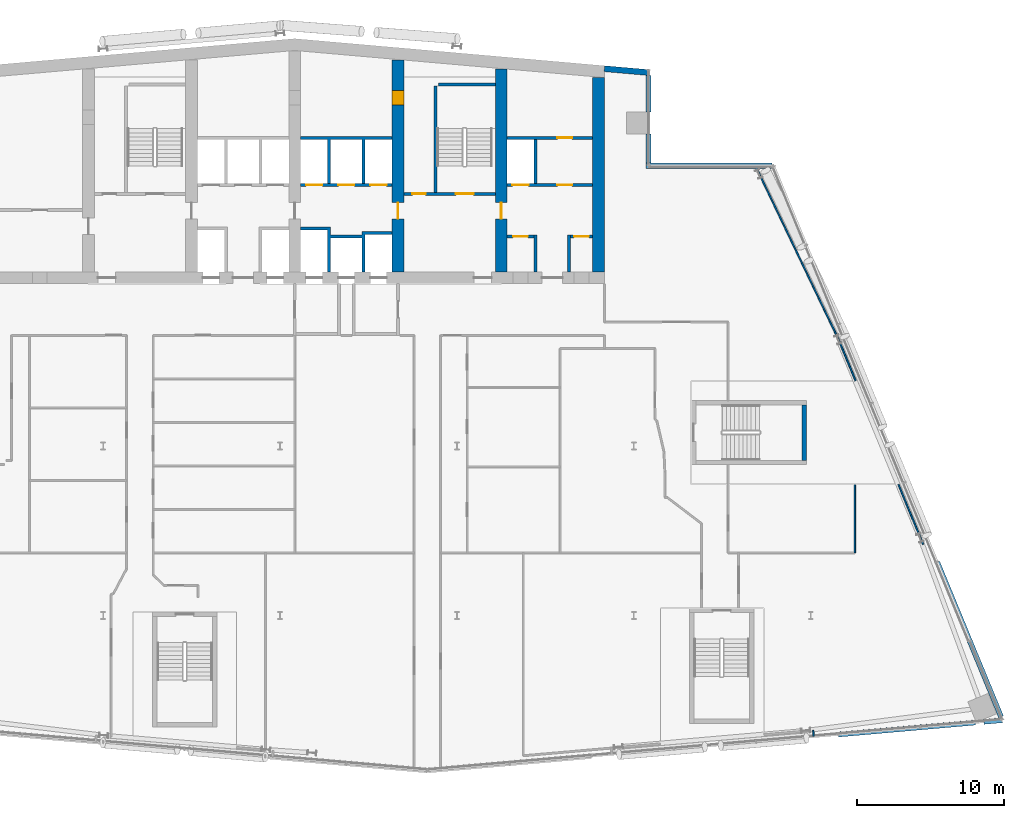
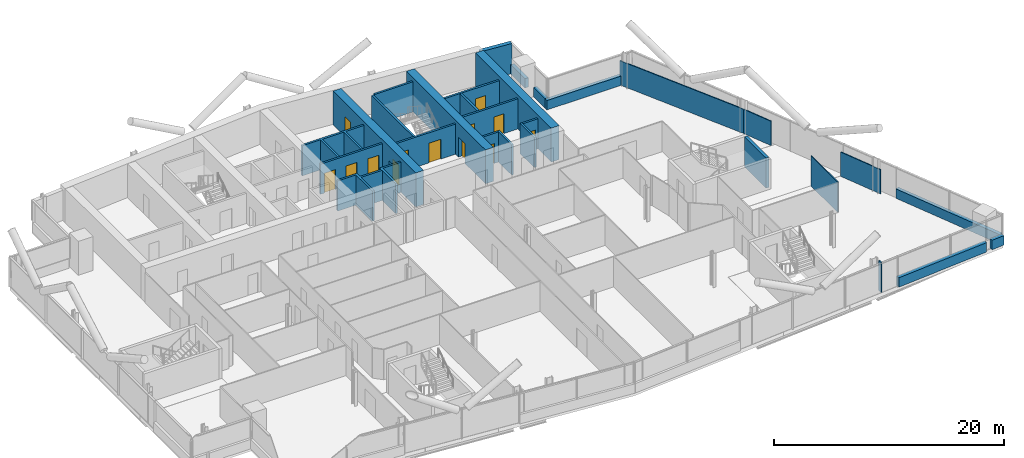
# One storey, part 18 of 26: 29 walls, 13 doors, 13 openings.
"""IFC4 building model written with IfcOpenShell, lengths in metres."""

from ifc_helpers import new_model, si_unit, direction, frame, frame_2d, origin, place, context, subcontext, project, spatial, polyline, rectangle, outline, extrude, material, layer, layer_set, type_object, element, fill, save


model = new_model("IFC4")

# Units and contexts
model_context = context("Model", 3, precision=1e-05, world=origin(), true_north=direction((0.0, 1.0)))
body_context = subcontext(model_context, "Body", "Model", "MODEL_VIEW")
ifc_project = project(units=[si_unit("LENGTHUNIT", "METRE"), si_unit("AREAUNIT", "SQUARE_METRE"), si_unit("VOLUMEUNIT", "CUBIC_METRE"), si_unit("PLANEANGLEUNIT", "RADIAN"), si_unit("MASSUNIT", "GRAM", prefix="KILO")], contexts=[model_context])

# Site, building, storey
site_placement = place(None, origin())
site = spatial("IfcSite", under=ifc_project, at=site_placement, CompositionType="ELEMENT")
building_placement = place(site_placement, origin())
building = spatial("IfcBuilding", under=site, at=building_placement, Name="Wharfspan Tower", CompositionType="ELEMENT")
storey_placement = place(building_placement, frame((0.0, 0.0, 166.300049)))
storey = spatial("IfcBuildingStorey", under=building, at=storey_placement, Name="L40", CompositionType="ELEMENT", Elevation=166.300049)

# Wall, opening, door
ifc_material_1 = material(Name="Calcium silicate masonry", Category="masonry")
ifc_layer_1 = layer(ifc_material_1, 0.199951)
ifc_layer_set_1 = layer_set([ifc_layer_1], Name="Calcium silicate masonry")
wall_type_1 = type_object("IfcWallType", Name="Core room wall 200", PredefinedType="PARTITIONING", material=ifc_layer_set_1)
wall_1_placement = place(storey_placement, frame((51.399902, 37.199951, 0.0), z_axis=(0.0, 0.0, 1.0), x_axis=(1.0, 0.0, 0.0)))
wall_1 = element("IfcWall", 1, at=wall_1_placement, inside=storey, type_object=wall_type_1, Name="sw:L40:FR6.1", PredefinedType="PARTITIONING", context=body_context, shape_type="SweptSolid", body=[
    extrude(rectangle(XDim=1.833496, YDim=0.199951, at=frame_2d((0.916748, 0.0))), origin(), (0.0, 0.0, 1.0), 3.199951),
])
opening_1_placement = place(wall_1_placement, frame((0.416748, 0.0, 0.0)))
opening_1 = element("IfcOpeningElement", 2, at=opening_1_placement, cuts=wall_1, Name="Opening CD40.6H1", PredefinedType="OPENING", context=body_context, shape_type="SweptSolid", body=[
    extrude(rectangle(XDim=1.0, YDim=2.100098, at=frame_2d((0.5, 1.050049))), frame((0.0, 0.109863, 0.0), z_axis=(0.0, -1.0, 0.0), x_axis=(1.0, 0.0, 0.0)), (0.0, 0.0, 1.0), 0.219971),
])
ifc_material_2 = material(Name="Steel door leaf", Category="steel")
door_type_1 = type_object("IfcDoorType", Name="Core room door 1000x2100", OperationType="SINGLE_SWING_LEFT", PredefinedType="DOOR", material=ifc_material_2)
door_1_placement = place(opening_1_placement, origin())
door_1 = element("IfcDoor", 3, at=door_1_placement, inside=storey, type_object=door_type_1, Name="d:L40:6:fh6.1", OperationType="SINGLE_SWING_RIGHT", OverallHeight=2.100098, OverallWidth=1.0, PredefinedType="DOOR", context=body_context, shape_type="SweptSolid", body=[
    extrude(rectangle(XDim=1.0, YDim=2.100098, at=frame_2d((0.5, 1.050049))), frame((0.0, 0.024902, 0.0), z_axis=(0.0, -1.0, 0.0), x_axis=(1.0, 0.0, 0.0)), (0.0, 0.0, 1.0), 0.050049),
])
fill(opening_1, door_1)

wall_2_placement = place(storey_placement, frame((55.699951, 37.199951, 0.0), z_axis=(0.0, 0.0, 1.0), x_axis=(1.0, 0.0, 0.0)))
wall_2 = element("IfcWall", 4, at=wall_2_placement, inside=storey, type_object=wall_type_1, Name="sw:L40:FR6.3", PredefinedType="PARTITIONING", context=body_context, shape_type="SweptSolid", body=[
    extrude(rectangle(XDim=1.5, YDim=0.199951, at=frame_2d((0.75, 0.0))), origin(), (0.0, 0.0, 1.0), 3.199951),
])
opening_2_placement = place(wall_2_placement, frame((0.25, 0.0, 0.0)))
opening_2 = element("IfcOpeningElement", 5, at=opening_2_placement, cuts=wall_2, Name="Opening CD40.6H3", PredefinedType="OPENING", context=body_context, shape_type="SweptSolid", body=[
    extrude(rectangle(XDim=1.0, YDim=2.100098, at=frame_2d((0.5, 1.050049))), frame((0.0, 0.109863, 0.0), z_axis=(0.0, -1.0, 0.0), x_axis=(1.0, 0.0, 0.0)), (0.0, 0.0, 1.0), 0.219971),
])
door_2_placement = place(opening_2_placement, origin())
door_2 = element("IfcDoor", 6, at=door_2_placement, inside=storey, type_object=door_type_1, Name="d:L40:6:fh6.3", OperationType="SINGLE_SWING_RIGHT", OverallHeight=2.100098, OverallWidth=1.0, PredefinedType="DOOR", context=body_context, shape_type="SweptSolid", body=[
    extrude(rectangle(XDim=1.0, YDim=2.100098, at=frame_2d((0.5, 1.050049))), frame((0.0, 0.024902, 0.0), z_axis=(0.0, -1.0, 0.0), x_axis=(1.0, 0.0, 0.0)), (0.0, 0.0, 1.0), 0.050049),
])
fill(opening_2, door_2)

# Wall, openings, doors
ifc_material_3 = material(Name="Concrete C60/75", Category="concrete")
ifc_layer_2 = layer(ifc_material_3, 0.800049)
ifc_layer_set_2 = layer_set([ifc_layer_2], Name="Concrete C60/75")
wall_type_2 = type_object("IfcWallType", Name="Core wall 800 C60/75", PredefinedType="SHEAR", material=ifc_layer_set_2)
wall_3_placement = place(storey_placement, frame((44.0, 34.800049, 0.0), z_axis=(0.0, 0.0, 1.0), x_axis=(0.0, 1.0, 0.0)))
wall_3 = element("IfcWall", 7, at=wall_3_placement, inside=storey, type_object=wall_type_2, Name="Core cross wall X5 L40", PredefinedType="SHEAR", context=body_context, shape_type="SweptSolid", body=[
    extrude(rectangle(XDim=14.374023, YDim=0.800049, at=frame_2d((7.187012, 0.0))), origin(), (0.0, 0.0, 1.0), 3.599854),
])
opening_3_placement = place(wall_3_placement, frame((11.312012, 0.0, 0.0)))
opening_3 = element("IfcOpeningElement", 8, at=opening_3_placement, cuts=wall_3, Name="Opening CD40.4X", PredefinedType="OPENING", context=body_context, shape_type="SweptSolid", body=[
    extrude(rectangle(XDim=1.0, YDim=2.100098, at=frame_2d((0.5, 1.050049))), frame((0.0, 0.409912, 0.0), z_axis=(0.0, -1.0, 0.0), x_axis=(1.0, 0.0, 0.0)), (0.0, 0.0, 1.0), 0.820068),
])
opening_4_placement = place(wall_3_placement, frame((3.600098, 0.0, 0.0)))
opening_4 = element("IfcOpeningElement", 9, at=opening_4_placement, cuts=wall_3, Name="Opening CC40.5", PredefinedType="OPENING", context=body_context, shape_type="SweptSolid", body=[
    extrude(rectangle(XDim=1.100098, YDim=2.100098, at=frame_2d((0.550049, 1.050049))), frame((0.0, 0.409912, 0.0), z_axis=(0.0, -1.0, 0.0), x_axis=(1.0, 0.0, 0.0)), (0.0, 0.0, 1.0), 0.820068),
])
door_type_2 = type_object("IfcDoorType", Name="Core corridor door 1100x2100", OperationType="SINGLE_SWING_LEFT", PredefinedType="DOOR", material=ifc_material_2)
door_3_placement = place(opening_4_placement, origin())
door_3 = element("IfcDoor", 10, at=door_3_placement, inside=storey, type_object=door_type_2, Name="xd:L40:5", OperationType="SINGLE_SWING_LEFT", OverallHeight=2.100098, OverallWidth=1.100098, PredefinedType="DOOR", context=body_context, shape_type="SweptSolid", body=[
    extrude(rectangle(XDim=1.100098, YDim=2.100098, at=frame_2d((0.550049, 1.050049))), frame((0.0, 0.024902, 0.0), z_axis=(0.0, -1.0, 0.0), x_axis=(1.0, 0.0, 0.0)), (0.0, 0.0, 1.0), 0.050049),
])
fill(opening_4, door_3)
door_4_placement = place(opening_3_placement, origin())
door_4 = element("IfcDoor", 11, at=door_4_placement, inside=storey, type_object=door_type_1, Name="d:L40:4:sx", OperationType="SINGLE_SWING_LEFT", OverallHeight=2.100098, OverallWidth=1.0, PredefinedType="DOOR", context=body_context, shape_type="SweptSolid", body=[
    extrude(rectangle(XDim=1.0, YDim=2.100098, at=frame_2d((0.5, 1.050049))), frame((0.0, 0.399902, 0.0), z_axis=(0.0, -1.0, 0.0), x_axis=(1.0, 0.0, 0.0)), (0.0, 0.0, 1.0), 0.799561),
])
fill(opening_3, door_4)

# Wall, opening, door
wall_4_placement = place(storey_placement, frame((51.0, 34.800049, 0.0), z_axis=(0.0, 0.0, 1.0), x_axis=(0.0, 1.0, 0.0)))
wall_4 = element("IfcWall", 12, at=wall_4_placement, inside=storey, type_object=wall_type_2, Name="Core cross wall X6 L40", PredefinedType="SHEAR", context=body_context, shape_type="SweptSolid", body=[
    extrude(rectangle(XDim=13.761719, YDim=0.800049, at=frame_2d((6.880859, 0.0))), origin(), (0.0, 0.0, 1.0), 3.599854),
])
opening_5_placement = place(wall_4_placement, frame((3.600098, 0.0, 0.0)))
opening_5 = element("IfcOpeningElement", 13, at=opening_5_placement, cuts=wall_4, Name="Opening CC40.6", PredefinedType="OPENING", context=body_context, shape_type="SweptSolid", body=[
    extrude(rectangle(XDim=1.100098, YDim=2.100098, at=frame_2d((0.550049, 1.050049))), frame((0.0, 0.409912, 0.0), z_axis=(0.0, -1.0, 0.0), x_axis=(1.0, 0.0, 0.0)), (0.0, 0.0, 1.0), 0.820068),
])
door_5_placement = place(opening_5_placement, origin())
door_5 = element("IfcDoor", 14, at=door_5_placement, inside=storey, type_object=door_type_2, Name="xd:L40:6", OperationType="SINGLE_SWING_RIGHT", OverallHeight=2.100098, OverallWidth=1.100098, PredefinedType="DOOR", context=body_context, shape_type="SweptSolid", body=[
    extrude(rectangle(XDim=1.100098, YDim=2.100098, at=frame_2d((0.550049, 1.050049))), frame((0.0, 0.024902, 0.0), z_axis=(0.0, -1.0, 0.0), x_axis=(1.0, 0.0, 0.0)), (0.0, 0.0, 1.0), 0.050049),
])
fill(opening_5, door_5)

# Wall
wall_5_placement = place(storey_placement, frame((57.600098, 34.800049, 0.0), z_axis=(0.0, 0.0, 1.0), x_axis=(0.0, 1.0, 0.0)))
element("IfcWall", 15, at=wall_5_placement, inside=storey, type_object=wall_type_2, Name="Core cross wall EW1 L40", PredefinedType="SHEAR", context=body_context, shape_type="SweptSolid", body=[
    extrude(rectangle(XDim=13.184326, YDim=0.800049, at=frame_2d((6.592285, 0.0))), origin(), (0.0, 0.0, 1.0), 3.599854),
])

# Wall, openings, doors
ifc_material_4 = material(Name="Concrete C30/37", Category="concrete")
ifc_layer_3 = layer(ifc_material_4, 0.199951)
ifc_layer_set_3 = layer_set([ifc_layer_3], Name="Concrete C30/37")
wall_type_3 = type_object("IfcWallType", Name="Lift shaft wall 200", PredefinedType="PARTITIONING", material=ifc_layer_set_3)
wall_6_placement = place(storey_placement, frame((37.399902, 40.699951, 0.0), z_axis=(0.0, 0.0, 1.0), x_axis=(1.0, 0.0, 0.0)))
wall_6 = element("IfcWall", 16, at=wall_6_placement, inside=storey, type_object=wall_type_3, Name="sw:L40:RF4", PredefinedType="PARTITIONING", context=body_context, shape_type="SweptSolid", body=[
    extrude(rectangle(XDim=6.200195, YDim=0.199951, at=frame_2d((3.100098, 0.0))), origin(), (0.0, 0.0, 1.0), 3.199951),
])
opening_6_placement = place(wall_6_placement, frame((0.366699, 0.0, 0.0)))
opening_6 = element("IfcOpeningElement", 17, at=opening_6_placement, cuts=wall_6, Name="Opening LD.LB4.L40", PredefinedType="OPENING", context=body_context, shape_type="SweptSolid", body=[
    extrude(rectangle(XDim=1.100098, YDim=2.100098, at=frame_2d((0.550049, 1.050049))), frame((0.0, 0.109863, 0.0), z_axis=(0.0, -1.0, 0.0), x_axis=(1.0, 0.0, 0.0)), (0.0, 0.0, 1.0), 0.219971),
])
opening_7_placement = place(wall_6_placement, frame((2.550049, 0.0, 0.0)))
opening_7 = element("IfcOpeningElement", 18, at=opening_7_placement, cuts=wall_6, Name="Opening LD.LB5.L40", PredefinedType="OPENING", context=body_context, shape_type="SweptSolid", body=[
    extrude(rectangle(XDim=1.100098, YDim=2.100098, at=frame_2d((0.550049, 1.050049))), frame((0.0, 0.109863, 0.0), z_axis=(0.0, -1.0, 0.0), x_axis=(1.0, 0.0, 0.0)), (0.0, 0.0, 1.0), 0.219971),
])
opening_8_placement = place(wall_6_placement, frame((4.733398, 0.0, 0.0)))
opening_8 = element("IfcOpeningElement", 19, at=opening_8_placement, cuts=wall_6, Name="Opening LD.LB6.L40", PredefinedType="OPENING", context=body_context, shape_type="SweptSolid", body=[
    extrude(rectangle(XDim=1.100098, YDim=2.100098, at=frame_2d((0.550049, 1.050049))), frame((0.0, 0.109863, 0.0), z_axis=(0.0, -1.0, 0.0), x_axis=(1.0, 0.0, 0.0)), (0.0, 0.0, 1.0), 0.219971),
])
ifc_material_5 = material(Name="Stainless steel", Category="steel")
door_type_3 = type_object("IfcDoorType", Name="Lift landing door 1100x2100", OperationType="DOUBLE_DOOR_SLIDING", PredefinedType="DOOR", material=ifc_material_5)
door_6_placement = place(opening_6_placement, origin())
door_6 = element("IfcDoor", 20, at=door_6_placement, inside=storey, type_object=door_type_3, Name="Landing door LB4 L40", OperationType="DOUBLE_DOOR_SLIDING", OverallHeight=2.100098, OverallWidth=1.100098, PredefinedType="DOOR", context=body_context, shape_type="SweptSolid", body=[
    extrude(rectangle(XDim=1.100098, YDim=2.100098, at=frame_2d((0.550049, 1.050049))), frame((0.0, 0.024902, 0.0), z_axis=(0.0, -1.0, 0.0), x_axis=(1.0, 0.0, 0.0)), (0.0, 0.0, 1.0), 0.050049),
])
fill(opening_6, door_6)
door_7_placement = place(opening_7_placement, origin())
door_7 = element("IfcDoor", 21, at=door_7_placement, inside=storey, type_object=door_type_3, Name="Landing door LB5 L40", OperationType="DOUBLE_DOOR_SLIDING", OverallHeight=2.100098, OverallWidth=1.100098, PredefinedType="DOOR", context=body_context, shape_type="SweptSolid", body=[
    extrude(rectangle(XDim=1.100098, YDim=2.100098, at=frame_2d((0.550049, 1.050049))), frame((0.0, 0.024902, 0.0), z_axis=(0.0, -1.0, 0.0), x_axis=(1.0, 0.0, 0.0)), (0.0, 0.0, 1.0), 0.050049),
])
fill(opening_7, door_7)
door_8_placement = place(opening_8_placement, origin())
door_8 = element("IfcDoor", 22, at=door_8_placement, inside=storey, type_object=door_type_3, Name="Landing door LB6 L40", OperationType="DOUBLE_DOOR_SLIDING", OverallHeight=2.100098, OverallWidth=1.100098, PredefinedType="DOOR", context=body_context, shape_type="SweptSolid", body=[
    extrude(rectangle(XDim=1.100098, YDim=2.100098, at=frame_2d((0.550049, 1.050049))), frame((0.0, 0.024902, 0.0), z_axis=(0.0, -1.0, 0.0), x_axis=(1.0, 0.0, 0.0)), (0.0, 0.0, 1.0), 0.050049),
])
fill(opening_8, door_8)

# Walls
wall_7_placement = place(storey_placement, frame((0.0, 0.0, -0.000244)))
element("IfcWall", 23, at=wall_7_placement, inside=storey, type_object=wall_type_3, Name="sw:L40:FM4.0", PredefinedType="PARTITIONING", context=body_context, shape_type="SweptSolid", body=[
    extrude(outline(polyline([(41.56665, 37.100098), (39.43335, 37.100098), (39.43335, 34.800049), (39.233398, 34.800049), (39.233398, 37.649902), (37.399902, 37.649902), (37.399902, 37.850098), (39.233398, 37.850098), (39.43335, 37.850098), (39.43335, 37.300049), (41.56665, 37.300049), (41.56665, 37.550049), (41.766602, 37.550049), (43.600098, 37.550049), (43.600098, 37.350098), (41.766602, 37.350098), (41.766602, 34.800049), (41.56665, 34.800049), (41.56665, 37.100098)])), origin(), (0.0, 0.0, 1.0), 3.200195),
])
wall_8_placement = place(storey_placement, frame((0.0, 0.0, -0.000244)))
element("IfcWall", 24, at=wall_8_placement, inside=storey, type_object=wall_type_3, Name="sw:L40:RM4.0", PredefinedType="PARTITIONING", context=body_context, shape_type="SweptSolid", body=[
    extrude(outline(polyline([(39.43335, 40.800049), (39.233398, 40.800049), (39.233398, 43.800049), (37.399902, 43.800049), (37.399902, 44.0), (43.600098, 44.0), (43.600098, 43.800049), (41.766602, 43.800049), (41.766602, 40.800049), (41.56665, 40.800049), (41.56665, 43.800049), (39.43335, 43.800049), (39.43335, 40.800049)])), origin(), (0.0, 0.0, 1.0), 3.200195),
])

# Wall, openings, doors
wall_9_placement = place(storey_placement, frame((51.399902, 40.699951, 0.0), z_axis=(0.0, 0.0, 1.0), x_axis=(1.0, 0.0, 0.0)))
wall_9 = element("IfcWall", 25, at=wall_9_placement, inside=storey, type_object=wall_type_3, Name="sw:L40:RF6", PredefinedType="PARTITIONING", context=body_context, shape_type="SweptSolid", body=[
    extrude(rectangle(XDim=5.800049, YDim=0.199951, at=frame_2d((2.899902, 0.0))), origin(), (0.0, 0.0, 1.0), 3.199951),
])
opening_9_placement = place(wall_9_placement, frame((0.366699, 0.0, 0.0)))
opening_9 = element("IfcOpeningElement", 26, at=opening_9_placement, cuts=wall_9, Name="Opening LD.LB8.L40", PredefinedType="OPENING", context=body_context, shape_type="SweptSolid", body=[
    extrude(rectangle(XDim=1.100098, YDim=2.100098, at=frame_2d((0.550049, 1.050049))), frame((0.0, 0.109863, 0.0), z_axis=(0.0, -1.0, 0.0), x_axis=(1.0, 0.0, 0.0)), (0.0, 0.0, 1.0), 0.219971),
])
opening_10_placement = place(wall_9_placement, frame((3.416748, 0.0, 0.0)))
opening_10 = element("IfcOpeningElement", 27, at=opening_10_placement, cuts=wall_9, Name="Opening CD40.6R2", PredefinedType="OPENING", context=body_context, shape_type="SweptSolid", body=[
    extrude(rectangle(XDim=1.0, YDim=2.100098, at=frame_2d((0.5, 1.050049))), frame((0.0, 0.109863, 0.0), z_axis=(0.0, -1.0, 0.0), x_axis=(1.0, 0.0, 0.0)), (0.0, 0.0, 1.0), 0.219971),
])
door_9_placement = place(opening_10_placement, origin())
door_9 = element("IfcDoor", 28, at=door_9_placement, inside=storey, type_object=door_type_1, Name="d:L40:6:rd6.2", OperationType="SINGLE_SWING_RIGHT", OverallHeight=2.100098, OverallWidth=1.0, PredefinedType="DOOR", context=body_context, shape_type="SweptSolid", body=[
    extrude(rectangle(XDim=1.0, YDim=2.100098, at=frame_2d((0.5, 1.050049))), frame((0.0, 0.024902, 0.0), z_axis=(0.0, -1.0, 0.0), x_axis=(1.0, 0.0, 0.0)), (0.0, 0.0, 1.0), 0.050049),
])
fill(opening_10, door_9)
door_10_placement = place(opening_9_placement, origin())
door_10 = element("IfcDoor", 29, at=door_10_placement, inside=storey, type_object=door_type_3, Name="Landing door LB8 L40", OperationType="DOUBLE_DOOR_SLIDING", OverallHeight=2.100098, OverallWidth=1.100098, PredefinedType="DOOR", context=body_context, shape_type="SweptSolid", body=[
    extrude(rectangle(XDim=1.100098, YDim=2.100098, at=frame_2d((0.550049, 1.050049))), frame((0.0, 0.024902, 0.0), z_axis=(0.0, -1.0, 0.0), x_axis=(1.0, 0.0, 0.0)), (0.0, 0.0, 1.0), 0.050049),
])
fill(opening_9, door_10)

# Wall, opening, door
wall_10_placement = place(storey_placement, frame((51.399902, 43.899902, 0.0), z_axis=(0.0, 0.0, 1.0), x_axis=(1.0, 0.0, 0.0)))
wall_10 = element("IfcWall", 30, at=wall_10_placement, inside=storey, type_object=wall_type_3, Name="sw:L40:RR6", PredefinedType="PARTITIONING", context=body_context, shape_type="SweptSolid", body=[
    extrude(rectangle(XDim=5.800049, YDim=0.199951, at=frame_2d((2.899902, 0.0))), origin(), (0.0, 0.0, 1.0), 3.199951),
])
opening_11_placement = place(wall_10_placement, frame((3.416748, 0.0, 0.0)))
opening_11 = element("IfcOpeningElement", 31, at=opening_11_placement, cuts=wall_10, Name="Opening CD40.6S2", PredefinedType="OPENING", context=body_context, shape_type="SweptSolid", body=[
    extrude(rectangle(XDim=1.0, YDim=2.100098, at=frame_2d((0.5, 1.050049))), frame((0.0, 0.109863, 0.0), z_axis=(0.0, -1.0, 0.0), x_axis=(1.0, 0.0, 0.0)), (0.0, 0.0, 1.0), 0.219971),
])
door_11_placement = place(opening_11_placement, origin())
door_11 = element("IfcDoor", 32, at=door_11_placement, inside=storey, type_object=door_type_1, Name="d:L40:6:rs6.2", OperationType="SINGLE_SWING_LEFT", OverallHeight=2.100098, OverallWidth=1.0, PredefinedType="DOOR", context=body_context, shape_type="SweptSolid", body=[
    extrude(rectangle(XDim=1.0, YDim=2.100098, at=frame_2d((0.5, 1.050049))), frame((0.0, 0.024902, 0.0), z_axis=(0.0, -1.0, 0.0), x_axis=(1.0, 0.0, 0.0)), (0.0, 0.0, 1.0), 0.050049),
])
fill(opening_11, door_11)

# Walls
wall_11_placement = place(storey_placement, frame((0.0, 0.0, -0.000244)))
element("IfcWall", 33, at=wall_11_placement, inside=storey, type_object=wall_type_3, Name="sw:L40:FM6.0", PredefinedType="PARTITIONING", context=body_context, shape_type="SweptSolid", body=[
    extrude(outline(polyline([(53.233398, 34.800049), (53.233398, 37.300049), (53.43335, 37.300049), (53.43335, 34.800049), (53.233398, 34.800049)])), origin(), (0.0, 0.0, 1.0), 3.200195),
])
wall_12_placement = place(storey_placement, frame((0.0, 0.0, -0.000244)))
element("IfcWall", 34, at=wall_12_placement, inside=storey, type_object=wall_type_3, Name="sw:L40:FM6.1", PredefinedType="PARTITIONING", context=body_context, shape_type="SweptSolid", body=[
    extrude(outline(polyline([(55.5, 34.800049), (55.5, 37.300049), (55.699951, 37.300049), (55.699951, 34.800049), (55.5, 34.800049)])), origin(), (0.0, 0.0, 1.0), 3.200195),
])
wall_13_placement = place(storey_placement, frame((0.0, 0.0, -0.000244)))
element("IfcWall", 35, at=wall_13_placement, inside=storey, type_object=wall_type_3, Name="sw:L40:RM6.0", PredefinedType="PARTITIONING", context=body_context, shape_type="SweptSolid", body=[
    extrude(outline(polyline([(53.43335, 40.800049), (53.43335, 43.800049), (53.233398, 43.800049), (53.233398, 40.800049), (53.43335, 40.800049)])), origin(), (0.0, 0.0, 1.0), 3.200195),
])
ifc_material_6 = material(Name="Gypsum board on steel studs", Category="steel")
ifc_layer_4 = layer(ifc_material_6, 0.100098)
ifc_layer_set_4 = layer_set([ifc_layer_4], Name="Gypsum board on steel studs")
wall_type_4 = type_object("IfcWallType", Name="Partition 100", PredefinedType="PARTITIONING", material=ifc_layer_set_4)
wall_14_placement = place(storey_placement, frame((72.198242, 3.300049, 0.0), z_axis=(0.0, 0.0, 1.0), x_axis=(-0.083759, 0.996486, 0.0)))
element("IfcWall", 36, at=wall_14_placement, inside=storey, type_object=wall_type_4, Name="Partition L40.w062", PredefinedType="PARTITIONING", context=body_context, shape_type="SweptSolid", body=[
    extrude(rectangle(XDim=0.396484, YDim=0.100098, at=frame_2d((0.198242, 0.0))), origin(), (0.0, 0.0, 1.0), 3.199951),
])
wall_15_placement = place(storey_placement, frame((73.88501, 30.22998, 0.0), z_axis=(0.0, 0.0, 1.0), x_axis=(-0.432129, 0.901808, 0.0)))
element("IfcWall", 37, at=wall_15_placement, inside=storey, type_object=wall_type_4, Name="Partition L40.w063", PredefinedType="PARTITIONING", context=body_context, shape_type="SweptSolid", body=[
    extrude(rectangle(XDim=13.029297, YDim=0.100098, at=frame_2d((6.514648, 0.0))), origin(), (0.0, 0.0, 1.0), 2.579834),
])
wall_16_placement = place(storey_placement, frame((75.0, 15.745117, 0.0), z_axis=(0.0, 0.0, 1.0), x_axis=(0.0, 1.0, 0.0)))
element("IfcWall", 38, at=wall_16_placement, inside=storey, type_object=wall_type_4, Name="Partition L40.w064", PredefinedType="PARTITIONING", context=body_context, shape_type="SweptSolid", body=[
    extrude(rectangle(XDim=4.634766, YDim=0.100098, at=frame_2d((2.317383, 0.0))), origin(), (0.0, 0.0, 1.0), 3.199951),
])
wall_17_placement = place(storey_placement, frame((75.046631, 27.419922, 0.0), z_axis=(0.0, 0.0, 1.0), x_axis=(-0.382024, 0.924148, 0.0)))
element("IfcWall", 39, at=wall_17_placement, inside=storey, type_object=wall_type_4, Name="Partition L40.w065", PredefinedType="PARTITIONING", context=body_context, shape_type="SweptSolid", body=[
    extrude(rectangle(XDim=3.040771, YDim=0.100098, at=frame_2d((1.520508, 0.0))), origin(), (0.0, 0.0, 1.0), 2.579834),
])
wall_18_placement = place(storey_placement, frame((79.629883, 16.310059, 0.0), z_axis=(0.0, 0.0, 1.0), x_axis=(-0.380933, 0.9246, 0.0)))
element("IfcWall", 40, at=wall_18_placement, inside=storey, type_object=wall_type_4, Name="Partition L40.w066", PredefinedType="PARTITIONING", context=body_context, shape_type="SweptSolid", body=[
    extrude(rectangle(XDim=4.401611, YDim=0.100098, at=frame_2d((2.200684, 0.0))), origin(), (0.0, 0.0, 1.0), 2.579834),
])
ifc_material_7 = material(Name="Concrete C40/50", Category="concrete")
ifc_layer_5 = layer(ifc_material_7, 0.350098)
ifc_layer_set_5 = layer_set([ifc_layer_5], Name="Concrete C40/50")
wall_type_5 = type_object("IfcWallType", Name="SPANDREL EXPOSED CONCRETE 350", PredefinedType="SOLIDWALL", material=ifc_layer_set_5)
wall_19_placement = place(storey_placement, frame((73.887451, 3.422852, 0.0), z_axis=(0.0, 0.0, 1.0), x_axis=(0.996197, 0.087145, 0.0)))
element("IfcWall", 41, at=wall_19_placement, inside=storey, type_object=wall_type_5, Name="Spandrel upstand L40 S2 2", PredefinedType="SOLIDWALL", context=body_context, shape_type="SweptSolid", body=[
    extrude(rectangle(XDim=9.323486, YDim=0.350098, at=frame_2d((4.661621, 0.0))), origin(), (0.0, 0.0, 1.0), 1.0),
])
wall_20_placement = place(storey_placement, frame((83.744629, 4.285156, 0.0), z_axis=(0.0, 0.0, 1.0), x_axis=(0.996198, 0.087148, 0.0)))
element("IfcWall", 42, at=wall_20_placement, inside=storey, type_object=wall_type_5, Name="Spandrel upstand L40 S2 3", PredefinedType="SOLIDWALL", context=body_context, shape_type="SweptSolid", body=[
    extrude(rectangle(XDim=1.260742, YDim=0.350098, at=frame_2d((0.630371, 0.0))), origin(), (0.0, 0.0, 1.0), 1.0),
])
wall_21_placement = place(storey_placement, frame((84.91626, 4.615967, 0.0), z_axis=(0.0, 0.0, 1.0), x_axis=(-0.381598, 0.924328, 0.0)))
element("IfcWall", 43, at=wall_21_placement, inside=storey, type_object=wall_type_5, Name="Spandrel upstand L40 E", PredefinedType="SOLIDWALL", context=body_context, shape_type="SweptSolid", body=[
    extrude(rectangle(XDim=11.360596, YDim=0.350098, at=frame_2d((5.680176, 0.0))), origin(), (0.0, 0.0, 1.0), 1.0),
])
wall_22_placement = place(storey_placement, frame((69.366211, 42.004883, 0.0), z_axis=(0.0, 0.0, 1.0), x_axis=(-1.0, 0.0, 0.0)))
element("IfcWall", 44, at=wall_22_placement, inside=storey, type_object=wall_type_5, Name="Spandrel upstand L40 NRE-H", PredefinedType="SOLIDWALL", context=body_context, shape_type="SweptSolid", body=[
    extrude(rectangle(XDim=8.536133, YDim=0.350098, at=frame_2d((4.268066, 0.0))), origin(), (0.0, 0.0, 1.0), 1.0),
])
wall_23_placement = place(storey_placement, frame((61.004883, 42.179932, 0.0), z_axis=(0.0, 0.0, 1.0), x_axis=(0.0, 1.0, 0.0)))
element("IfcWall", 45, at=wall_23_placement, inside=storey, type_object=wall_type_5, Name="Spandrel upstand L40 NRE-V", PredefinedType="SOLIDWALL", context=body_context, shape_type="SweptSolid", body=[
    extrude(rectangle(XDim=1.969971, YDim=0.350098, at=frame_2d((0.984863, 0.0))), origin(), (0.0, 0.0, 1.0), 1.0),
])
wall_24_placement = place(storey_placement, frame((61.004883, 45.649902, 0.0), z_axis=(0.0, 0.0, 1.0), x_axis=(0.0, 1.0, 0.0)))
element("IfcWall", 46, at=wall_24_placement, inside=storey, type_object=wall_type_5, Name="Spandrel upstand L40 NRE-V 2", PredefinedType="SOLIDWALL", context=body_context, shape_type="SweptSolid", body=[
    extrude(rectangle(XDim=2.476562, YDim=0.350098, at=frame_2d((1.238281, 0.0))), origin(), (0.0, 0.0, 1.0), 1.0),
])
ifc_layer_6 = layer(ifc_material_7, 0.300049)
ifc_layer_set_6 = layer_set([ifc_layer_6], Name="Concrete C40/50")
wall_type_6 = type_object("IfcWallType", Name="Stair core wall 300", PredefinedType="SHEAR", material=ifc_layer_set_6)
wall_25_placement = place(storey_placement, frame((71.554688, 22.024902, 0.0), z_axis=(0.0, 0.0, 1.0), x_axis=(0.0, 1.0, 0.0)))
element("IfcWall", 47, at=wall_25_placement, inside=storey, type_object=wall_type_6, Name="ST6 stair enclosure wall L40", PredefinedType="SHEAR", context=body_context, shape_type="SweptSolid", body=[
    extrude(rectangle(XDim=3.75, YDim=0.300049, at=frame_2d((1.875, 0.0))), origin(), (0.0, 0.0, 1.0), 3.199951),
])

# Wall, openings, doors
ifc_layer_7 = layer(ifc_material_7, 0.199951)
ifc_layer_set_7 = layer_set([ifc_layer_7], Name="Concrete C40/50")
wall_type_7 = type_object("IfcWallType", Name="Stair shaft wall 200", PredefinedType="SHEAR", material=ifc_layer_set_7)
wall_26_placement = place(storey_placement, frame((44.399902, 40.100098, 0.0), z_axis=(0.0, 0.0, 1.0), x_axis=(1.0, 0.0, 0.0)))
wall_26 = element("IfcWall", 48, at=wall_26_placement, inside=storey, type_object=wall_type_7, Name="ST2 stair enclosure wall L40", PredefinedType="SHEAR", context=body_context, shape_type="SweptSolid", body=[
    extrude(rectangle(XDim=6.200195, YDim=0.199951, at=frame_2d((3.100098, 0.0))), origin(), (0.0, 0.0, 1.0), 3.199951),
])
opening_12_placement = place(wall_26_placement, frame((3.524902, 0.0, 0.0)))
opening_12 = element("IfcOpeningElement", 49, at=opening_12_placement, cuts=wall_26, Name="Opening SD5.L40", PredefinedType="OPENING", context=body_context, shape_type="SweptSolid", body=[
    extrude(rectangle(XDim=1.199951, YDim=2.100098, at=frame_2d((0.600098, 1.050049))), frame((0.0, 0.109863, 0.0), z_axis=(0.0, -1.0, 0.0), x_axis=(1.0, 0.0, 0.0)), (0.0, 0.0, 1.0), 0.219971),
])
opening_13_placement = place(wall_26_placement, frame((0.574951, 0.0, 0.0)))
opening_13 = element("IfcOpeningElement", 50, at=opening_13_placement, cuts=wall_26, Name="Opening CD40.5R", PredefinedType="OPENING", context=body_context, shape_type="SweptSolid", body=[
    extrude(rectangle(XDim=0.899902, YDim=2.100098, at=frame_2d((0.449951, 1.050049))), frame((0.0, 0.109863, 0.0), z_axis=(0.0, -1.0, 0.0), x_axis=(1.0, 0.0, 0.0)), (0.0, 0.0, 1.0), 0.219971),
])
door_12_placement = place(opening_13_placement, origin())
door_12 = element("IfcDoor", 51, at=door_12_placement, inside=storey, type_object=door_type_1, Name="rk:L40:5", OperationType="SINGLE_SWING_LEFT", OverallHeight=2.100098, OverallWidth=0.899902, PredefinedType="DOOR", context=body_context, shape_type="SweptSolid", body=[
    extrude(rectangle(XDim=0.899902, YDim=2.100098, at=frame_2d((0.449951, 1.050049))), frame((0.0, 0.024902, 0.0), z_axis=(0.0, -1.0, 0.0), x_axis=(1.0, 0.0, 0.0)), (0.0, 0.0, 1.0), 0.050049),
])
fill(opening_13, door_12)
door_type_4 = type_object("IfcDoorType", Name="Stair door 1200x2100", OperationType="SINGLE_SWING_LEFT", PredefinedType="DOOR", material=ifc_material_2)
door_13_placement = place(opening_12_placement, origin())
door_13 = element("IfcDoor", 52, at=door_13_placement, inside=storey, type_object=door_type_4, Name="sd:L40:5", OperationType="SINGLE_SWING_RIGHT", OverallHeight=2.100098, OverallWidth=1.199951, PredefinedType="DOOR", context=body_context, shape_type="SweptSolid", body=[
    extrude(rectangle(XDim=1.199951, YDim=2.100098, at=frame_2d((0.600098, 1.050049))), frame((0.0, 0.024902, 0.0), z_axis=(0.0, -1.0, 0.0), x_axis=(1.0, 0.0, 0.0)), (0.0, 0.0, 1.0), 0.050049),
])
fill(opening_12, door_13)

# Walls
wall_27_placement = place(storey_placement, frame((46.550049, 40.199951, 0.0), z_axis=(0.0, 0.0, 1.0), x_axis=(0.0, 1.0, 0.0)))
element("IfcWall", 53, at=wall_27_placement, inside=storey, type_object=wall_type_7, Name="ST2 stair enclosure wall L40", PredefinedType="SHEAR", context=body_context, shape_type="SweptSolid", body=[
    extrude(rectangle(XDim=7.199951, YDim=0.199951, at=frame_2d((3.600098, 0.0))), origin(), (0.0, 0.0, 1.0), 3.199951),
])
wall_28_placement = place(storey_placement, frame((46.75, 47.5, 0.0), z_axis=(0.0, 0.0, 1.0), x_axis=(1.0, 0.0, 0.0)))
element("IfcWall", 54, at=wall_28_placement, inside=storey, type_object=wall_type_7, Name="ST2 stair enclosure wall L40", PredefinedType="SHEAR", context=body_context, shape_type="SweptSolid", body=[
    extrude(rectangle(XDim=3.850098, YDim=0.199951, at=frame_2d((1.925049, 0.0))), origin(), (0.0, 0.0, 1.0), 3.199951),
])
ifc_layer_8 = layer(ifc_material_7, 0.399902)
ifc_layer_set_8 = layer_set([ifc_layer_8], Name="Concrete C40/50")
wall_type_8 = type_object("IfcWallType", Name="WALL EXPOSED CONCRETE 400", PredefinedType="SOLIDWALL", material=ifc_layer_set_8)
wall_29_placement = place(storey_placement, frame((60.982666, 48.325684, 0.0), z_axis=(0.0, 0.0, 1.0), x_axis=(-0.996194, 0.087168, 0.0)))
element("IfcWall", 55, at=wall_29_placement, inside=storey, type_object=wall_type_8, Name="Rear wall N2", PredefinedType="SOLIDWALL", context=body_context, shape_type="SweptSolid", body=[
    extrude(rectangle(XDim=2.994141, YDim=0.399902, at=frame_2d((1.49707, 0.0))), origin(), (0.0, 0.0, 1.0), 3.199951),
])

save(model, "model.ifc")
